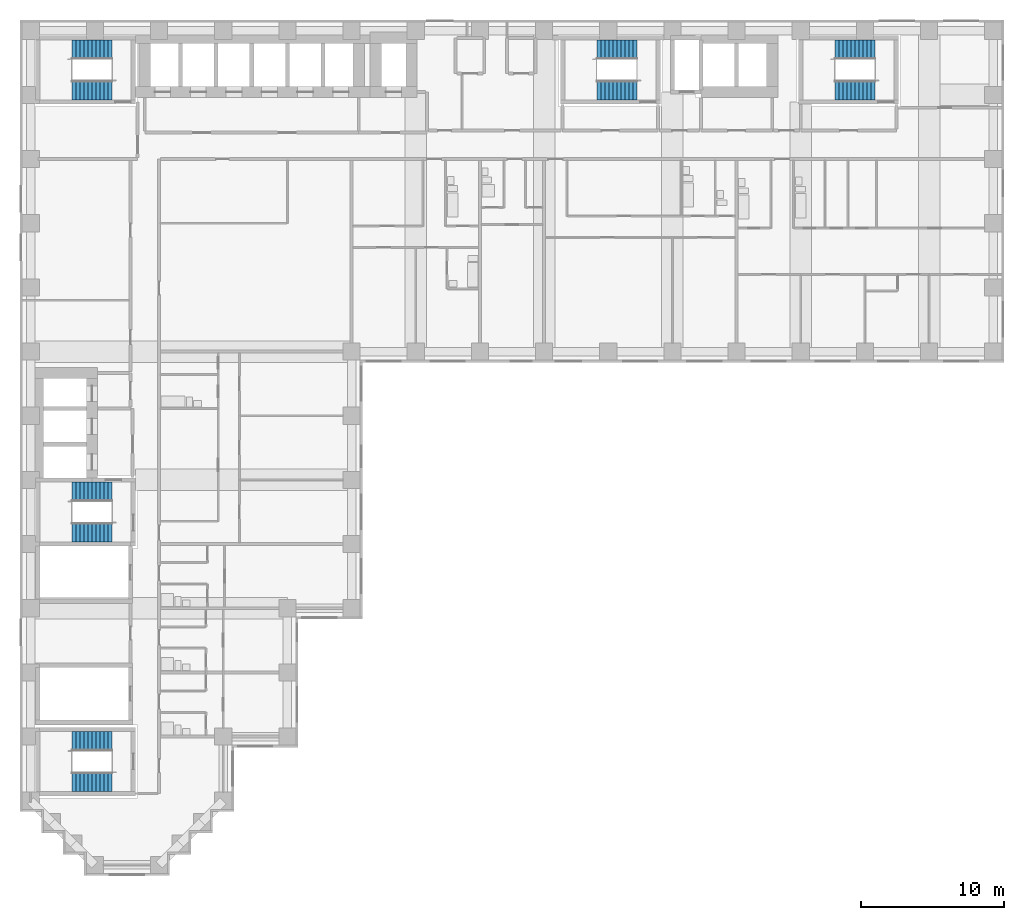
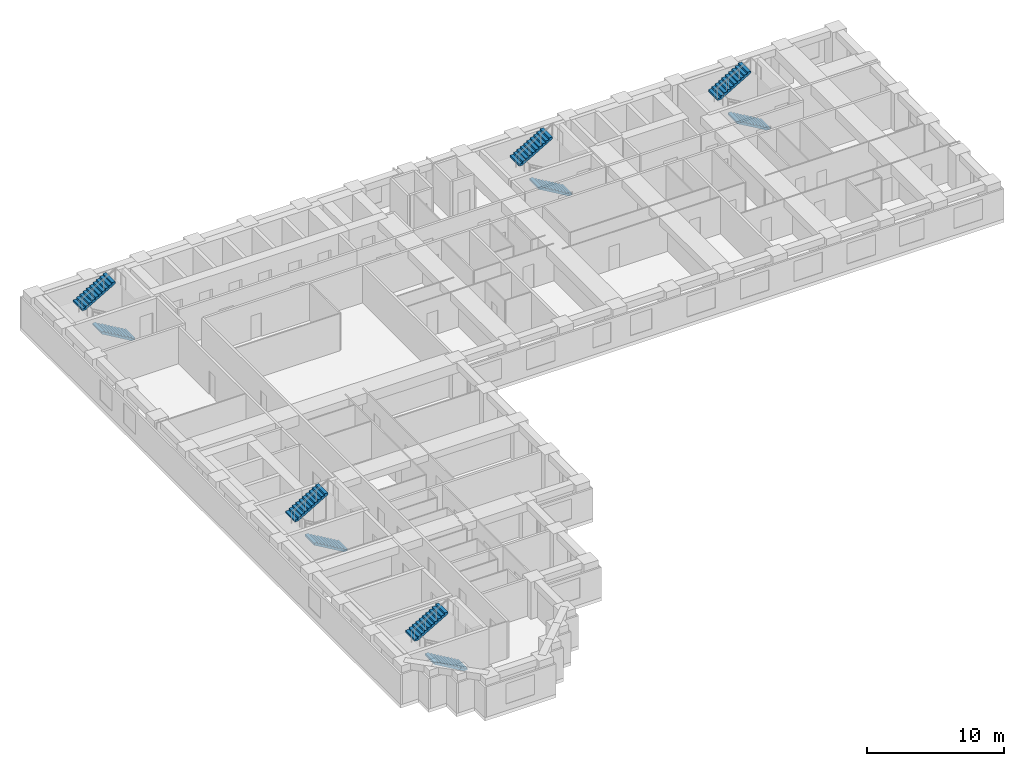
# One storey, part 9 of 11: 10 stair flights, 5 elements without a shape of their own.
"""IFC4 building model written with IfcOpenShell, lengths in metres."""

from ifc_helpers import new_model, si_unit, direction, frame, origin, place, context, subcontext, project, spatial, polyline, outline, extrude, material, type_object, element, aggregate, save


model = new_model("IFC4")

# Units and contexts
model_context = context("Model", 3, precision=1e-05, world=origin(), true_north=direction((0.0, 1.0)))
body_context = subcontext(model_context, "Body", "Model", "MODEL_VIEW")
ifc_project = project(units=[si_unit("LENGTHUNIT", "METRE"), si_unit("AREAUNIT", "SQUARE_METRE"), si_unit("VOLUMEUNIT", "CUBIC_METRE"), si_unit("PLANEANGLEUNIT", "RADIAN"), si_unit("MASSUNIT", "GRAM", prefix="KILO")], contexts=[model_context])

# Site, building, storey
site_placement = place(None, origin())
site = spatial("IfcSite", under=ifc_project, at=site_placement, CompositionType="ELEMENT")
building_placement = place(site_placement, origin())
building = spatial("IfcBuilding", under=site, at=building_placement, Name="Firuza Court", CompositionType="ELEMENT")
storey_placement = place(building_placement, frame((0.0, 0.0, 75.800048828125)))
storey = spatial("IfcBuildingStorey", under=building, at=storey_placement, Name="L18", CompositionType="ELEMENT", Elevation=75.800048828125)

# Stair, stair flights
ifc_material_1 = material(Name="Concrete C40/50 precast", Category="concrete")
stair_type = type_object("IfcStairType", Name="Stair 1350 x 3600 2 flights", PredefinedType="HALF_TURN_STAIR", material=ifc_material_1)
stair_1_placement = place(storey_placement, origin())
stair_1 = element("IfcStair", 1, at=stair_1_placement, inside=storey, type_object=stair_type, Name="Stair 1 L18", PredefinedType="HALF_TURN_STAIR")
ifc_material_2 = material(Name="Concrete C40/50 precast", Category="concrete")
stair_flight_type = type_object("IfcStairFlightType", Name="Flight 1350 riser 163.6", PredefinedType="STRAIGHT", material=ifc_material_2)
stair_flight_1_placement = place(storey_placement, frame((42.5, 54.324951171875, 0.0), z_axis=(0.0, 0.0, 1.0), x_axis=(-1.0, 0.0, 0.0)))
stair_flight_1 = element("IfcStairFlight", 2, at=stair_flight_1_placement, type_object=stair_flight_type, Name="S1 flight 1", NumberOfRisers=11, NumberOfTreads=10, PredefinedType="STRAIGHT", RiserHeight=0.163636364, TreadLength=0.28, context=body_context, shape_type="SweptSolid", body=[
    extrude(outline(polyline([(0.0, 0.0), (0.0, 0.16357421875), (0.280029296875, 0.16357421875), (0.280029296875, 0.327392578125), (0.56005859375, 0.327392578125), (0.56005859375, 0.490966796875), (0.840087890625, 0.490966796875), (0.840087890625, 0.654541015625), (1.1201171875, 0.654541015625), (1.1201171875, 0.818115234375), (1.39990234375, 0.818115234375), (1.39990234375, 0.98193359375), (1.679931640625, 0.98193359375), (1.679931640625, 1.1455078125), (1.9599609375, 1.1455078125), (1.9599609375, 1.30908203125), (2.239990234375, 1.30908203125), (2.239990234375, 1.47265625), (2.52001953125, 1.47265625), (2.52001953125, 1.636474609375), (2.800048828125, 1.636474609375), (2.800048828125, 1.800048828125), (2.800048828125, 1.462646484375), (0.297119140625, 0.0), (0.0, 0.0)])), frame((0.0, 0.675048828125, 0.0), z_axis=(0.0, -1.0, 0.0), x_axis=(1.0, 0.0, 0.0)), (0.0, 0.0, 1.0), 1.35009765625),
])
stair_flight_2_placement = place(storey_placement, frame((39.699951171875, 57.175048828125, 1.800048828125), z_axis=(0.0, 0.0, 1.0), x_axis=(1.0, 0.0, 0.0)))
stair_flight_2 = element("IfcStairFlight", 3, at=stair_flight_2_placement, type_object=stair_flight_type, Name="S1 flight 2", NumberOfRisers=11, NumberOfTreads=10, PredefinedType="STRAIGHT", RiserHeight=0.163636364, TreadLength=0.28, context=body_context, shape_type="SweptSolid", body=[
    extrude(outline(polyline([(0.0, 0.0), (0.0, 0.16357421875), (0.280029296875, 0.16357421875), (0.280029296875, 0.327392578125), (0.56005859375, 0.327392578125), (0.56005859375, 0.490966796875), (0.840087890625, 0.490966796875), (0.840087890625, 0.654541015625), (1.1201171875, 0.654541015625), (1.1201171875, 0.818115234375), (1.39990234375, 0.818115234375), (1.39990234375, 0.98193359375), (1.679931640625, 0.98193359375), (1.679931640625, 1.1455078125), (1.9599609375, 1.1455078125), (1.9599609375, 1.30908203125), (2.239990234375, 1.30908203125), (2.239990234375, 1.47265625), (2.52001953125, 1.47265625), (2.52001953125, 1.636474609375), (2.800048828125, 1.636474609375), (2.800048828125, 1.800048828125), (2.800048828125, 1.462646484375), (0.297119140625, 0.0), (0.0, 0.0)])), frame((0.0, 0.675048828125, 0.0), z_axis=(0.0, -1.0, 0.0), x_axis=(1.0, 0.0, 0.0)), (0.0, 0.0, 1.0), 1.35009765625),
])
aggregate(stair_1, [stair_flight_1, stair_flight_2])

stair_2_placement = place(storey_placement, origin())
stair_2 = element("IfcStair", 4, at=stair_2_placement, inside=storey, type_object=stair_type, Name="Stair 2 L18", PredefinedType="HALF_TURN_STAIR")
stair_flight_3_placement = place(storey_placement, frame((5.699951171875, 23.324951171875, 0.0), z_axis=(0.0, 0.0, 1.0), x_axis=(-1.0, 0.0, 0.0)))
stair_flight_3 = element("IfcStairFlight", 5, at=stair_flight_3_placement, type_object=stair_flight_type, Name="S2 flight 1", NumberOfRisers=11, NumberOfTreads=10, PredefinedType="STRAIGHT", RiserHeight=0.163636364, TreadLength=0.28, context=body_context, shape_type="SweptSolid", body=[
    extrude(outline(polyline([(0.0, 0.0), (0.0, 0.16357421875), (0.280029296875, 0.16357421875), (0.280029296875, 0.327392578125), (0.56005859375, 0.327392578125), (0.56005859375, 0.490966796875), (0.840087890625, 0.490966796875), (0.840087890625, 0.654541015625), (1.1201171875, 0.654541015625), (1.1201171875, 0.818115234375), (1.39990234375, 0.818115234375), (1.39990234375, 0.98193359375), (1.679931640625, 0.98193359375), (1.679931640625, 1.1455078125), (1.9599609375, 1.1455078125), (1.9599609375, 1.30908203125), (2.239990234375, 1.30908203125), (2.239990234375, 1.47265625), (2.52001953125, 1.47265625), (2.52001953125, 1.636474609375), (2.800048828125, 1.636474609375), (2.800048828125, 1.800048828125), (2.800048828125, 1.462646484375), (0.297119140625, 0.0), (0.0, 0.0)])), frame((0.0, 0.675048828125, 0.0), z_axis=(0.0, -1.0, 0.0), x_axis=(1.0, 0.0, 0.0)), (0.0, 0.0, 1.0), 1.35009765625),
])
stair_flight_4_placement = place(storey_placement, frame((2.89990234375, 26.175048828125, 1.800048828125), z_axis=(0.0, 0.0, 1.0), x_axis=(1.0, 0.0, 0.0)))
stair_flight_4 = element("IfcStairFlight", 6, at=stair_flight_4_placement, type_object=stair_flight_type, Name="S2 flight 2", NumberOfRisers=11, NumberOfTreads=10, PredefinedType="STRAIGHT", RiserHeight=0.163636364, TreadLength=0.28, context=body_context, shape_type="SweptSolid", body=[
    extrude(outline(polyline([(0.0, 0.0), (0.0, 0.16357421875), (0.280029296875, 0.16357421875), (0.280029296875, 0.327392578125), (0.56005859375, 0.327392578125), (0.56005859375, 0.490966796875), (0.840087890625, 0.490966796875), (0.840087890625, 0.654541015625), (1.1201171875, 0.654541015625), (1.1201171875, 0.818115234375), (1.39990234375, 0.818115234375), (1.39990234375, 0.98193359375), (1.679931640625, 0.98193359375), (1.679931640625, 1.1455078125), (1.9599609375, 1.1455078125), (1.9599609375, 1.30908203125), (2.239990234375, 1.30908203125), (2.239990234375, 1.47265625), (2.52001953125, 1.47265625), (2.52001953125, 1.636474609375), (2.800048828125, 1.636474609375), (2.800048828125, 1.800048828125), (2.800048828125, 1.462646484375), (0.297119140625, 0.0), (0.0, 0.0)])), frame((0.0, 0.675048828125, 0.0), z_axis=(0.0, -1.0, 0.0), x_axis=(1.0, 0.0, 0.0)), (0.0, 0.0, 1.0), 1.35009765625),
])
aggregate(stair_2, [stair_flight_3, stair_flight_4])

stair_3_placement = place(storey_placement, origin())
stair_3 = element("IfcStair", 7, at=stair_3_placement, inside=storey, type_object=stair_type, Name="Stair 3 L18", PredefinedType="HALF_TURN_STAIR")
stair_flight_5_placement = place(storey_placement, frame((5.699951171875, 54.324951171875, 0.0), z_axis=(0.0, 0.0, 1.0), x_axis=(-1.0, 0.0, 0.0)))
stair_flight_5 = element("IfcStairFlight", 8, at=stair_flight_5_placement, type_object=stair_flight_type, Name="S3 flight 1", NumberOfRisers=11, NumberOfTreads=10, PredefinedType="STRAIGHT", RiserHeight=0.163636364, TreadLength=0.28, context=body_context, shape_type="SweptSolid", body=[
    extrude(outline(polyline([(0.0, 0.0), (0.0, 0.16357421875), (0.280029296875, 0.16357421875), (0.280029296875, 0.327392578125), (0.56005859375, 0.327392578125), (0.56005859375, 0.490966796875), (0.840087890625, 0.490966796875), (0.840087890625, 0.654541015625), (1.1201171875, 0.654541015625), (1.1201171875, 0.818115234375), (1.39990234375, 0.818115234375), (1.39990234375, 0.98193359375), (1.679931640625, 0.98193359375), (1.679931640625, 1.1455078125), (1.9599609375, 1.1455078125), (1.9599609375, 1.30908203125), (2.239990234375, 1.30908203125), (2.239990234375, 1.47265625), (2.52001953125, 1.47265625), (2.52001953125, 1.636474609375), (2.800048828125, 1.636474609375), (2.800048828125, 1.800048828125), (2.800048828125, 1.462646484375), (0.297119140625, 0.0), (0.0, 0.0)])), frame((0.0, 0.675048828125, 0.0), z_axis=(0.0, -1.0, 0.0), x_axis=(1.0, 0.0, 0.0)), (0.0, 0.0, 1.0), 1.35009765625),
])
stair_flight_6_placement = place(storey_placement, frame((2.89990234375, 57.175048828125, 1.800048828125), z_axis=(0.0, 0.0, 1.0), x_axis=(1.0, 0.0, 0.0)))
stair_flight_6 = element("IfcStairFlight", 9, at=stair_flight_6_placement, type_object=stair_flight_type, Name="S3 flight 2", NumberOfRisers=11, NumberOfTreads=10, PredefinedType="STRAIGHT", RiserHeight=0.163636364, TreadLength=0.28, context=body_context, shape_type="SweptSolid", body=[
    extrude(outline(polyline([(0.0, 0.0), (0.0, 0.16357421875), (0.280029296875, 0.16357421875), (0.280029296875, 0.327392578125), (0.56005859375, 0.327392578125), (0.56005859375, 0.490966796875), (0.840087890625, 0.490966796875), (0.840087890625, 0.654541015625), (1.1201171875, 0.654541015625), (1.1201171875, 0.818115234375), (1.39990234375, 0.818115234375), (1.39990234375, 0.98193359375), (1.679931640625, 0.98193359375), (1.679931640625, 1.1455078125), (1.9599609375, 1.1455078125), (1.9599609375, 1.30908203125), (2.239990234375, 1.30908203125), (2.239990234375, 1.47265625), (2.52001953125, 1.47265625), (2.52001953125, 1.636474609375), (2.800048828125, 1.636474609375), (2.800048828125, 1.800048828125), (2.800048828125, 1.462646484375), (0.297119140625, 0.0), (0.0, 0.0)])), frame((0.0, 0.675048828125, 0.0), z_axis=(0.0, -1.0, 0.0), x_axis=(1.0, 0.0, 0.0)), (0.0, 0.0, 1.0), 1.35009765625),
])
aggregate(stair_3, [stair_flight_5, stair_flight_6])

stair_4_placement = place(storey_placement, origin())
stair_4 = element("IfcStair", 10, at=stair_4_placement, inside=storey, type_object=stair_type, Name="Stair 4 L18", PredefinedType="HALF_TURN_STAIR")
stair_flight_7_placement = place(storey_placement, frame((59.199951171875, 54.324951171875, 0.0), z_axis=(0.0, 0.0, 1.0), x_axis=(-1.0, 0.0, 0.0)))
stair_flight_7 = element("IfcStairFlight", 11, at=stair_flight_7_placement, type_object=stair_flight_type, Name="S4 flight 1", NumberOfRisers=11, NumberOfTreads=10, PredefinedType="STRAIGHT", RiserHeight=0.163636364, TreadLength=0.28, context=body_context, shape_type="SweptSolid", body=[
    extrude(outline(polyline([(0.0, 0.0), (0.0, 0.16357421875), (0.280029296875, 0.16357421875), (0.280029296875, 0.327392578125), (0.56005859375, 0.327392578125), (0.56005859375, 0.490966796875), (0.840087890625, 0.490966796875), (0.840087890625, 0.654541015625), (1.1201171875, 0.654541015625), (1.1201171875, 0.818115234375), (1.39990234375, 0.818115234375), (1.39990234375, 0.98193359375), (1.679931640625, 0.98193359375), (1.679931640625, 1.1455078125), (1.9599609375, 1.1455078125), (1.9599609375, 1.30908203125), (2.239990234375, 1.30908203125), (2.239990234375, 1.47265625), (2.52001953125, 1.47265625), (2.52001953125, 1.636474609375), (2.800048828125, 1.636474609375), (2.800048828125, 1.800048828125), (2.800048828125, 1.462646484375), (0.297119140625, 0.0), (0.0, 0.0)])), frame((0.0, 0.675048828125, 0.0), z_axis=(0.0, -1.0, 0.0), x_axis=(1.0, 0.0, 0.0)), (0.0, 0.0, 1.0), 1.35009765625),
])
stair_flight_8_placement = place(storey_placement, frame((56.39990234375, 57.175048828125, 1.800048828125), z_axis=(0.0, 0.0, 1.0), x_axis=(1.0, 0.0, 0.0)))
stair_flight_8 = element("IfcStairFlight", 12, at=stair_flight_8_placement, type_object=stair_flight_type, Name="S4 flight 2", NumberOfRisers=11, NumberOfTreads=10, PredefinedType="STRAIGHT", RiserHeight=0.163636364, TreadLength=0.28, context=body_context, shape_type="SweptSolid", body=[
    extrude(outline(polyline([(0.0, 0.0), (0.0, 0.16357421875), (0.280029296875, 0.16357421875), (0.280029296875, 0.327392578125), (0.56005859375, 0.327392578125), (0.56005859375, 0.490966796875), (0.840087890625, 0.490966796875), (0.840087890625, 0.654541015625), (1.1201171875, 0.654541015625), (1.1201171875, 0.818115234375), (1.39990234375, 0.818115234375), (1.39990234375, 0.98193359375), (1.679931640625, 0.98193359375), (1.679931640625, 1.1455078125), (1.9599609375, 1.1455078125), (1.9599609375, 1.30908203125), (2.239990234375, 1.30908203125), (2.239990234375, 1.47265625), (2.52001953125, 1.47265625), (2.52001953125, 1.636474609375), (2.800048828125, 1.636474609375), (2.800048828125, 1.800048828125), (2.800048828125, 1.462646484375), (0.297119140625, 0.0), (0.0, 0.0)])), frame((0.0, 0.675048828125, 0.0), z_axis=(0.0, -1.0, 0.0), x_axis=(1.0, 0.0, 0.0)), (0.0, 0.0, 1.0), 1.35009765625),
])
aggregate(stair_4, [stair_flight_7, stair_flight_8])

stair_5_placement = place(storey_placement, origin())
stair_5 = element("IfcStair", 13, at=stair_5_placement, inside=storey, type_object=stair_type, Name="Stair 5 L18", PredefinedType="HALF_TURN_STAIR")
stair_flight_9_placement = place(storey_placement, frame((5.699951171875, 5.824951171875, 0.0), z_axis=(0.0, 0.0, 1.0), x_axis=(-1.0, 0.0, 0.0)))
stair_flight_9 = element("IfcStairFlight", 14, at=stair_flight_9_placement, type_object=stair_flight_type, Name="S5 flight 1", NumberOfRisers=11, NumberOfTreads=10, PredefinedType="STRAIGHT", RiserHeight=0.163636364, TreadLength=0.28, context=body_context, shape_type="SweptSolid", body=[
    extrude(outline(polyline([(0.0, 0.0), (0.0, 0.16357421875), (0.280029296875, 0.16357421875), (0.280029296875, 0.327392578125), (0.56005859375, 0.327392578125), (0.56005859375, 0.490966796875), (0.840087890625, 0.490966796875), (0.840087890625, 0.654541015625), (1.1201171875, 0.654541015625), (1.1201171875, 0.818115234375), (1.39990234375, 0.818115234375), (1.39990234375, 0.98193359375), (1.679931640625, 0.98193359375), (1.679931640625, 1.1455078125), (1.9599609375, 1.1455078125), (1.9599609375, 1.30908203125), (2.239990234375, 1.30908203125), (2.239990234375, 1.47265625), (2.52001953125, 1.47265625), (2.52001953125, 1.636474609375), (2.800048828125, 1.636474609375), (2.800048828125, 1.800048828125), (2.800048828125, 1.462646484375), (0.297119140625, 0.0), (0.0, 0.0)])), frame((0.0, 0.675048828125, 0.0), z_axis=(0.0, -1.0, 0.0), x_axis=(1.0, 0.0, 0.0)), (0.0, 0.0, 1.0), 1.35009765625),
])
stair_flight_10_placement = place(storey_placement, frame((2.89990234375, 8.675048828125, 1.800048828125), z_axis=(0.0, 0.0, 1.0), x_axis=(1.0, 0.0, 0.0)))
stair_flight_10 = element("IfcStairFlight", 15, at=stair_flight_10_placement, type_object=stair_flight_type, Name="S5 flight 2", NumberOfRisers=11, NumberOfTreads=10, PredefinedType="STRAIGHT", RiserHeight=0.163636364, TreadLength=0.28, context=body_context, shape_type="SweptSolid", body=[
    extrude(outline(polyline([(0.0, 0.0), (0.0, 0.16357421875), (0.280029296875, 0.16357421875), (0.280029296875, 0.327392578125), (0.56005859375, 0.327392578125), (0.56005859375, 0.490966796875), (0.840087890625, 0.490966796875), (0.840087890625, 0.654541015625), (1.1201171875, 0.654541015625), (1.1201171875, 0.818115234375), (1.39990234375, 0.818115234375), (1.39990234375, 0.98193359375), (1.679931640625, 0.98193359375), (1.679931640625, 1.1455078125), (1.9599609375, 1.1455078125), (1.9599609375, 1.30908203125), (2.239990234375, 1.30908203125), (2.239990234375, 1.47265625), (2.52001953125, 1.47265625), (2.52001953125, 1.636474609375), (2.800048828125, 1.636474609375), (2.800048828125, 1.800048828125), (2.800048828125, 1.462646484375), (0.297119140625, 0.0), (0.0, 0.0)])), frame((0.0, 0.675048828125, 0.0), z_axis=(0.0, -1.0, 0.0), x_axis=(1.0, 0.0, 0.0)), (0.0, 0.0, 1.0), 1.35009765625),
])
aggregate(stair_5, [stair_flight_9, stair_flight_10])

save(model, "model.ifc")
